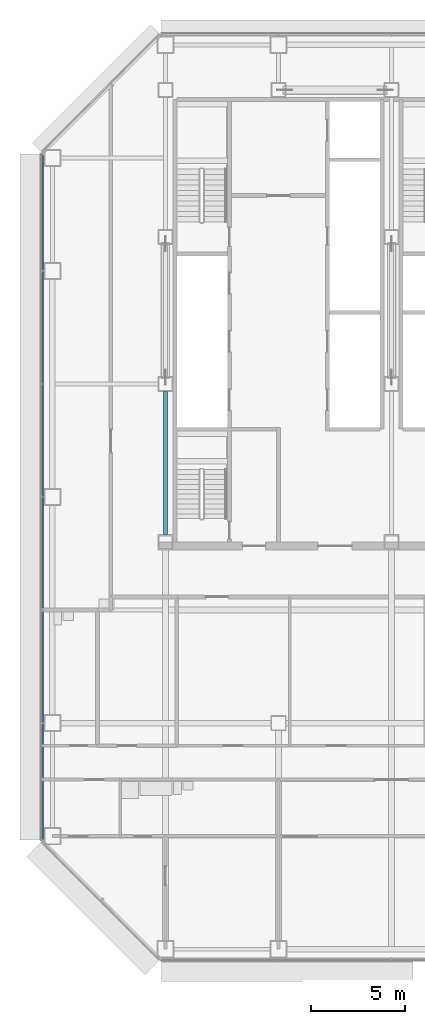
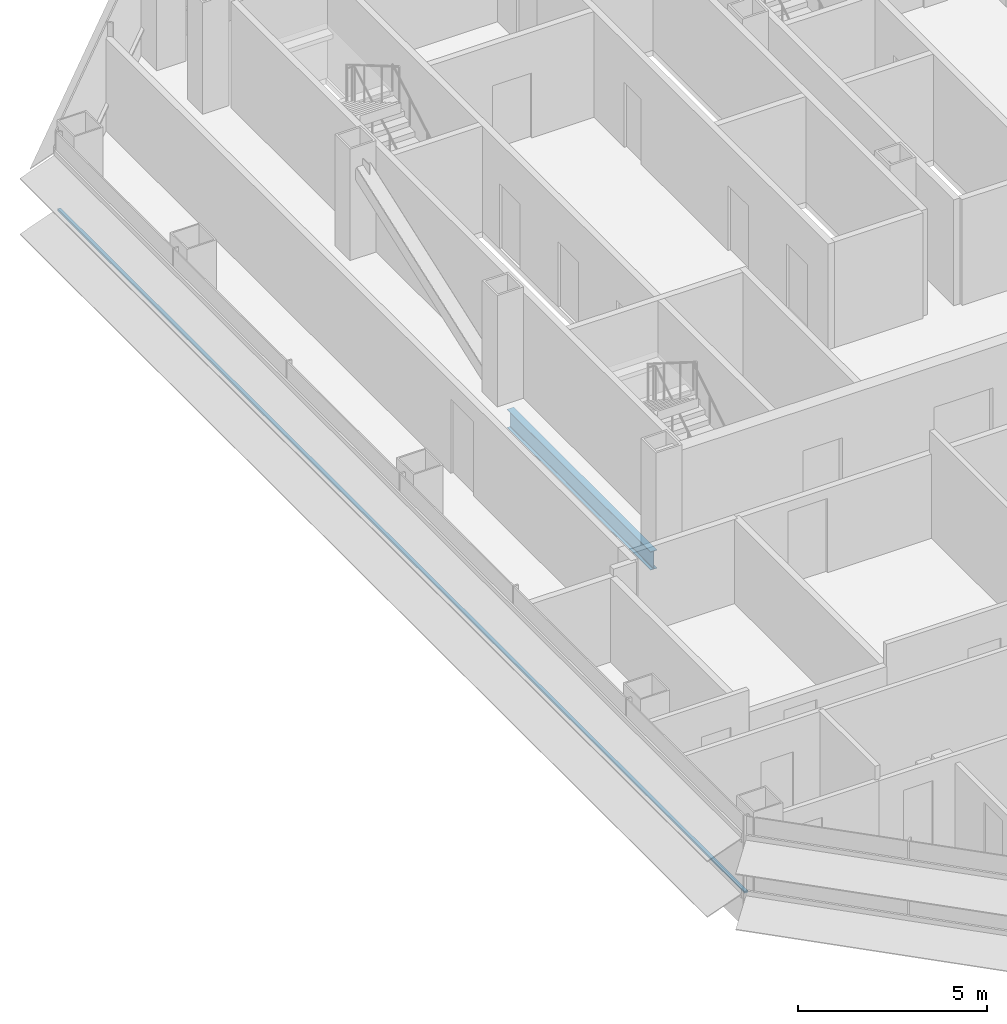
# One storey, part 5 of 27: 1 beam, 1 member, 1 element without a shape of its own.
"""IFC4 building model written with IfcOpenShell, lengths in metres."""

import ifcopenshell
import ifcopenshell.guid

model = None  # the IFC model being written
_history = None  # IfcOwnerHistory: only IFC2X3 demands one
_inside = {}  # id of a spatial element -> (the spatial element, [elements in it])
_under = {}  # id of a project, library or spatial element -> (it, [spatial elements below it])
_declared = {}  # id of a project -> (the project, [libraries it declares])
_typed = {}  # id of a type object -> (the type object, [elements of that type])
_made_of = {}  # id of a material, layer set ... -> (it, [elements and type objects made of it])


def new_model(schema):
    """Start an empty IFC model of exactly this schema.

    Asked for "IFC4X3", IfcOpenShell would pick the latest addendum, in which some entities
    have other attributes; the version numbers below select the first issue.
    IFC2X3 requires an IfcOwnerHistory on every rooted entity: one is made here for all.
    """
    global model, _history
    if schema == "IFC4X3":
        model = ifcopenshell.file(schema_version=(4, 3, 0, 0))
    else:
        model = ifcopenshell.file(schema=schema)
    _inside.clear()
    _under.clear()
    _declared.clear()
    _typed.clear()
    _made_of.clear()
    _history = None
    if model.schema == "IFC2X3":
        org = make("IfcOrganization", Name="unknown")
        user = make(
            "IfcPersonAndOrganization",
            ThePerson=make("IfcPerson", FamilyName="unknown"),
            TheOrganization=org,
        )
        app = make(
            "IfcApplication",
            ApplicationDeveloper=org,
            Version="unknown",
            ApplicationFullName="unknown",
            ApplicationIdentifier="unknown",
        )
        _history = make(
            "IfcOwnerHistory",
            OwningUser=user,
            OwningApplication=app,
            ChangeAction="ADDED",
            CreationDate=0,
        )
    return model


def make(cls, **values):
    """One entity of the class cls with the attributes given. An attribute that is None is left unset."""
    return model.create_entity(
        cls, **{name: value for name, value in values.items() if value is not None}
    )


def rooted(cls, **values):
    """An entity with a GlobalId (a new one), such as an element, a storey or a relation."""
    return make(cls, GlobalId=ifcopenshell.guid.new(), OwnerHistory=_history, **values)


def si_unit(unit_type, name, prefix=None):
    """IfcSIUnit, for example si_unit("LENGTHUNIT", "METRE", prefix="MILLI")."""
    return make("IfcSIUnit", UnitType=unit_type, Prefix=prefix, Name=name)


def assignment(units):
    """IfcUnitAssignment: the units of a project."""
    return None if units is None else make("IfcUnitAssignment", Units=units)


def point(xyz):
    """IfcCartesianPoint."""
    return None if xyz is None else make("IfcCartesianPoint", Coordinates=xyz)


def direction(xyz):
    """IfcDirection."""
    return None if xyz is None else make("IfcDirection", DirectionRatios=xyz)


def frame(location, z_axis=None, x_axis=None):
    """IfcAxis2Placement3D, a coordinate frame: its origin and axes. An axis left out is left unset."""
    return make(
        "IfcAxis2Placement3D",
        Location=point(location),
        Axis=direction(z_axis),
        RefDirection=direction(x_axis),
    )


def frame_2d(location, x_axis=None):
    """IfcAxis2Placement2D, a coordinate frame in the plane: its origin and x axis."""
    return make(
        "IfcAxis2Placement2D", Location=point(location), RefDirection=direction(x_axis)
    )


def origin():
    """The frame at (0, 0, 0) with its axes left unset."""
    return frame((0.0, 0.0, 0.0))


def origin_2d():
    """The frame at (0, 0) in the plane with its x axis left unset."""
    return frame_2d((0.0, 0.0))


def place(relative_to, where):
    """IfcLocalPlacement: puts the frame where relative to a parent placement (None: the world)."""
    return make(
        "IfcLocalPlacement", PlacementRelTo=relative_to, RelativePlacement=where
    )


def context(
    kind, dimensions, precision=None, world=None, true_north=None, identifier=None
):
    """IfcGeometricRepresentationContext, for example the 3D "Model" context."""
    return make(
        "IfcGeometricRepresentationContext",
        ContextIdentifier=identifier,
        ContextType=kind,
        CoordinateSpaceDimension=dimensions,
        Precision=precision,
        WorldCoordinateSystem=world,
        TrueNorth=true_north,
    )


def subcontext(parent, identifier, kind, view, scale=None):
    """IfcGeometricRepresentationSubContext, for example "Body" below "Model"."""
    return make(
        "IfcGeometricRepresentationSubContext",
        ContextIdentifier=identifier,
        ContextType=kind,
        ParentContext=parent,
        TargetScale=scale,
        TargetView=view,
    )


def project(units=None, contexts=None):
    """IfcProject with its units and contexts."""
    return rooted(
        "IfcProject",
        Name="project",
        RepresentationContexts=contexts,
        UnitsInContext=assignment(units),
    )


def spatial(cls, under=None, at=None, **own):
    """A site, building, storey or space (cls), placed at a placement, below another one or the project."""
    s = rooted(cls, ObjectPlacement=at, **own)
    if under is not None:
        _under.setdefault(under.id(), (under, []))[1].append(s)
    return s


def profile(cls, at=None, kind="AREA", **sizes):
    """A parametric profile (cls). Its sizes go by their IFC names, for example OverallWidth=200.0."""
    return make(cls, ProfileType=kind, Position=at, **sizes)


def rectangle(**sizes):
    """IfcRectangleProfileDef."""
    return profile("IfcRectangleProfileDef", **sizes)


def i_section(**sizes):
    """IfcIShapeProfileDef."""
    return profile("IfcIShapeProfileDef", **sizes)


def extrude(swept, where, along, depth):
    """IfcExtrudedAreaSolid: the profile swept, set in the frame where, extruded along a direction by depth."""
    return make(
        "IfcExtrudedAreaSolid",
        SweptArea=swept,
        Position=where,
        ExtrudedDirection=direction(along),
        Depth=depth,
    )


def shape(context_of_items, identifier, shape_type, items):
    """IfcShapeRepresentation: the items that make up one representation, for example the "Body"."""
    return make(
        "IfcShapeRepresentation",
        ContextOfItems=context_of_items,
        RepresentationIdentifier=identifier,
        RepresentationType=shape_type,
        Items=items,
    )


def material(Name=None, Category=None):
    """IfcMaterial."""
    return make("IfcMaterial", Name=Name, Category=Category)


def material_profile(
    of_material, cross_section, Name=None, Category=None, Priority=None
):
    """IfcMaterialProfile: a cross section and its material."""
    return make(
        "IfcMaterialProfile",
        Name=Name,
        Material=of_material,
        Profile=cross_section,
        Priority=Priority,
        Category=Category,
    )


def profile_set(profiles, Name=None, composite=None):
    """IfcMaterialProfileSet."""
    return make(
        "IfcMaterialProfileSet",
        Name=Name,
        MaterialProfiles=profiles,
        CompositeProfile=composite,
    )


def made_of(thing, what):
    """Note that an element or type object is made of a material, layer set ...; save() writes the relation."""
    if what is not None:
        _made_of.setdefault(what.id(), (what, []))[1].append(thing)
    return thing


def type_object(cls, material=None, **own):
    """A type object (cls), such as IfcWallType, which elements share."""
    return made_of(rooted(cls, **own), material)


def element(
    cls,
    number,
    at=None,
    inside=None,
    cuts=None,
    type_object=None,
    material=None,
    context=None,
    identifier="Body",
    shape_type=None,
    held_by="IfcProductDefinitionShape",
    body=None,
    shapes=None,
    **own,
):
    """One element of the class cls, such as IfcWall. Its Tag is "e" and its number.

    at: its placement. inside: the storey or other place that contains it. cuts: it is an
    opening in that element (IfcRelVoidsElement). A single representation is given by context,
    identifier, shape_type and body (its items); several are given by shapes. held_by: the class
    of the entity that holds the representations. save() writes the other relations.
    """
    e = rooted(cls, Tag="e%d" % number, ObjectPlacement=at, **own)
    if body is not None:
        shapes = [shape(context, identifier, shape_type, body)]
    if shapes is not None:
        e.Representation = make(held_by, Representations=shapes)
    if inside is not None:
        _inside.setdefault(inside.id(), (inside, []))[1].append(e)
    if cuts is not None:
        rooted(
            "IfcRelVoidsElement", RelatingBuildingElement=cuts, RelatedOpeningElement=e
        )
    if type_object is not None:
        _typed.setdefault(type_object.id(), (type_object, []))[1].append(e)
    return made_of(e, material)


def aggregate(whole, parts):
    """IfcRelAggregates: a whole, such as a stair, and the parts it consists of."""
    return rooted("IfcRelAggregates", RelatingObject=whole, RelatedObjects=parts)


def save(model, path):
    """Write the relations noted so far, then the file.

    IfcRelAggregates (storeys below a building ...), IfcRelContainedInSpatialStructure (elements
    in a storey), IfcRelDefinesByType, IfcRelAssociatesMaterial and IfcRelDeclares: one each for
    every whole, place, type object, material and project.
    """
    for whole, parts in _under.values():
        aggregate(whole, parts)
    for where, things in _inside.values():
        rooted(
            "IfcRelContainedInSpatialStructure",
            RelatedElements=things,
            RelatingStructure=where,
        )
    for kind, things in _typed.values():
        rooted("IfcRelDefinesByType", RelatedObjects=things, RelatingType=kind)
    for what, things in _made_of.values():
        rooted("IfcRelAssociatesMaterial", RelatedObjects=things, RelatingMaterial=what)
    for by, libraries in _declared.values():
        rooted("IfcRelDeclares", RelatingContext=by, RelatedDefinitions=libraries)
    model.write(path)


model = new_model("IFC4")

# Units and contexts
model_context = context("Model", 3, precision=1e-05, world=origin(), true_north=direction((0.0, 1.0)))
body_context = subcontext(model_context, "Body", "Model", "MODEL_VIEW")
ifc_project = project(units=[si_unit("LENGTHUNIT", "METRE"), si_unit("AREAUNIT", "SQUARE_METRE"), si_unit("VOLUMEUNIT", "CUBIC_METRE"), si_unit("PLANEANGLEUNIT", "RADIAN"), si_unit("MASSUNIT", "GRAM", prefix="KILO")], contexts=[model_context])

# Site, building, storey
site_placement = place(None, origin())
site = spatial("IfcSite", under=ifc_project, at=site_placement, CompositionType="ELEMENT")
building_placement = place(site_placement, origin())
building = spatial("IfcBuilding", under=site, at=building_placement, Name="Sorahane Residences", CompositionType="ELEMENT")
storey_placement = place(building_placement, frame((0.0, 0.0, 78.60009765625)))
storey = spatial("IfcBuildingStorey", under=building, at=storey_placement, Name="L16", CompositionType="ELEMENT", Elevation=78.60009765625)

# Curtain wall, member
ifc_material_1 = material(Name="Dark low-e glass and black anodised aluminium", Category="aluminium")
curtain_wall_type = type_object("IfcCurtainWallType", Name="Curtain wall CW-1 Typical unitised wall", PredefinedType="NOTDEFINED", material=ifc_material_1)
curtain_wall_placement = place(storey_placement, origin())
curtain_wall = element("IfcCurtainWall", 1, at=curtain_wall_placement, inside=storey, type_object=curtain_wall_type, Name="CW-1 curtain wall L16 W1", PredefinedType="NOTDEFINED")
ifc_material_2 = material(Name="Black anodised aluminium", Category="aluminium")
ifc_material_profile_1 = material_profile(ifc_material_2, rectangle(XDim=0.10009765625, YDim=0.06005859375, at=origin_2d()), Name="Curtain wall transom CW-1 black anodised aluminium 60x100")
ifc_profile_set_1 = profile_set([ifc_material_profile_1], Name="Black anodised aluminium")
member_type = type_object("IfcMemberType", Name="Curtain wall transom CW-1 black anodised aluminium 60x100", PredefinedType="USERDEFINED", material=ifc_profile_set_1)
member_placement = place(storey_placement, frame((-0.530029296875, 42.198486328125, 0.89990234375), z_axis=(0.0, -1.0, 0.0), x_axis=(1.0, 0.0, 0.0)))
member = element("IfcMember", 2, at=member_placement, type_object=member_type, Name="CW-1 transom L16 W1", ObjectType="TRANSOM", PredefinedType="USERDEFINED", context=body_context, shape_type="SweptSolid", body=[
    extrude(rectangle(XDim=0.10009765625, YDim=0.06005859375, at=origin_2d()), origin(), (0.0, 0.0, 1.0), 36.39697265625),
])
aggregate(curtain_wall, [member])

# Beam
ifc_material_3 = material(Name="Steel Q355B", Category="steel")
ifc_material_profile_2 = material_profile(ifc_material_3, i_section(OverallWidth=0.199951171875, OverallDepth=0.60009765625, WebThickness=0.010986328125, FlangeThickness=0.01708984375, FilletRadius=0.02392578125, at=origin_2d()), Name="HN 600x200x11x17")
ifc_profile_set_2 = profile_set([ifc_material_profile_2], Name="Steel Q355B")
beam_type = type_object("IfcBeamType", Name="Steel floor beam HN 600x200x11x17 Q355B", PredefinedType="BEAM", material=ifc_profile_set_2)
beam_placement = place(storey_placement, frame((6.0, 22.0, -0.47998046875), z_axis=(0.0, 1.0, 0.0), x_axis=(-1.0, 0.0, 0.0)))
element("IfcBeam", 3, at=beam_placement, inside=storey, type_object=beam_type, Name="Beam L16 023", PredefinedType="BEAM", context=body_context, shape_type="SweptSolid", body=[
    extrude(i_section(OverallWidth=0.199951171875, OverallDepth=0.60009765625, WebThickness=0.010986328125, FlangeThickness=0.01708984375, FilletRadius=0.02392578125, at=origin_2d()), origin(), (0.0, 0.0, 1.0), 7.60009765625),
])

save(model, "model.ifc")
